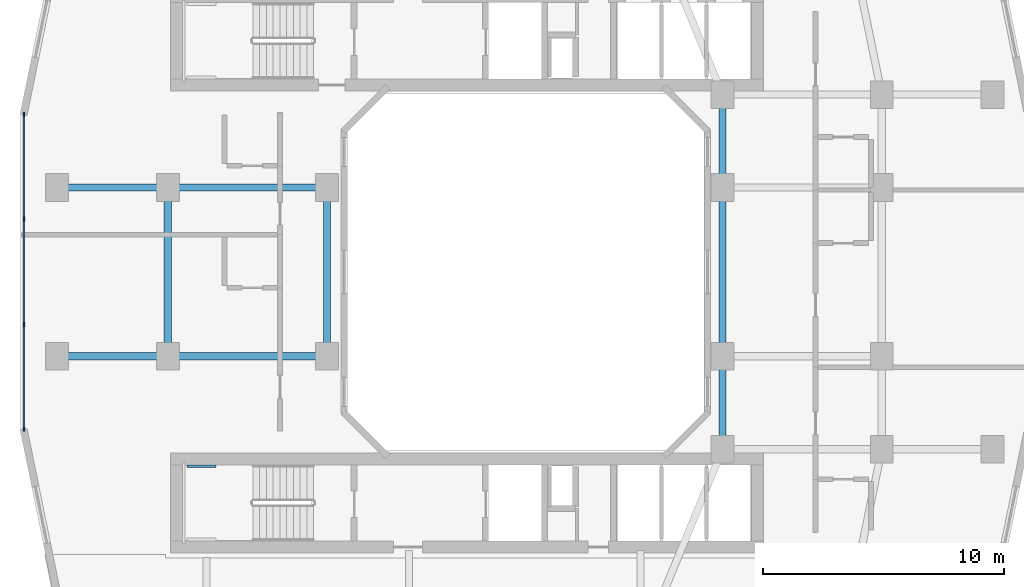
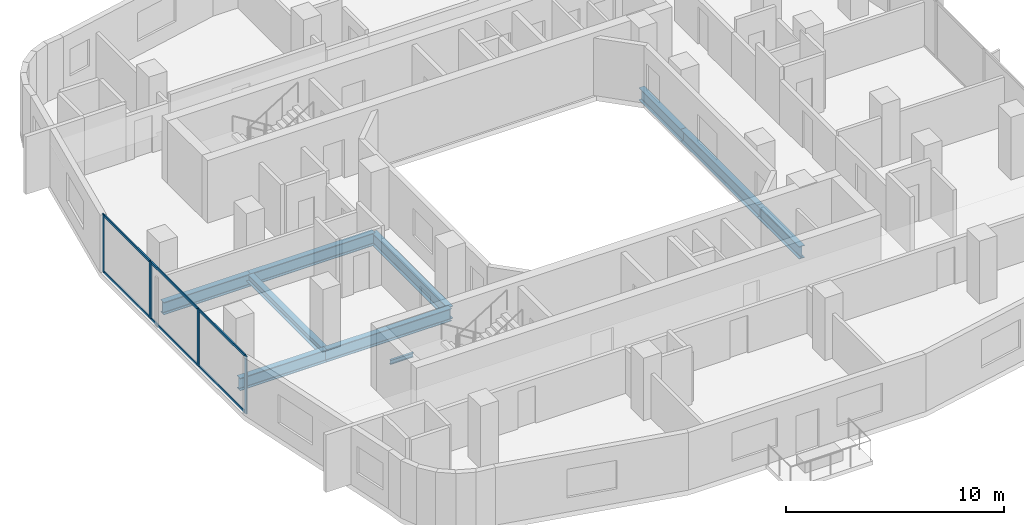
# One storey, part 2 of 22: 10 beams, 10 members, 1 element without a shape of its own.
"""IFC4 building model written with IfcOpenShell, lengths in metres."""

import ifcopenshell
import ifcopenshell.guid

model = None  # the IFC model being written
_history = None  # IfcOwnerHistory: only IFC2X3 demands one
_inside = {}  # id of a spatial element -> (the spatial element, [elements in it])
_under = {}  # id of a project, library or spatial element -> (it, [spatial elements below it])
_declared = {}  # id of a project -> (the project, [libraries it declares])
_typed = {}  # id of a type object -> (the type object, [elements of that type])
_made_of = {}  # id of a material, layer set ... -> (it, [elements and type objects made of it])


def new_model(schema):
    """Start an empty IFC model of exactly this schema.

    Asked for "IFC4X3", IfcOpenShell would pick the latest addendum, in which some entities
    have other attributes; the version numbers below select the first issue.
    IFC2X3 requires an IfcOwnerHistory on every rooted entity: one is made here for all.
    """
    global model, _history
    if schema == "IFC4X3":
        model = ifcopenshell.file(schema_version=(4, 3, 0, 0))
    else:
        model = ifcopenshell.file(schema=schema)
    _inside.clear()
    _under.clear()
    _declared.clear()
    _typed.clear()
    _made_of.clear()
    _history = None
    if model.schema == "IFC2X3":
        org = make("IfcOrganization", Name="unknown")
        user = make(
            "IfcPersonAndOrganization",
            ThePerson=make("IfcPerson", FamilyName="unknown"),
            TheOrganization=org,
        )
        app = make(
            "IfcApplication",
            ApplicationDeveloper=org,
            Version="unknown",
            ApplicationFullName="unknown",
            ApplicationIdentifier="unknown",
        )
        _history = make(
            "IfcOwnerHistory",
            OwningUser=user,
            OwningApplication=app,
            ChangeAction="ADDED",
            CreationDate=0,
        )
    return model


def make(cls, **values):
    """One entity of the class cls with the attributes given. An attribute that is None is left unset."""
    return model.create_entity(
        cls, **{name: value for name, value in values.items() if value is not None}
    )


def rooted(cls, **values):
    """An entity with a GlobalId (a new one), such as an element, a storey or a relation."""
    return make(cls, GlobalId=ifcopenshell.guid.new(), OwnerHistory=_history, **values)


def si_unit(unit_type, name, prefix=None):
    """IfcSIUnit, for example si_unit("LENGTHUNIT", "METRE", prefix="MILLI")."""
    return make("IfcSIUnit", UnitType=unit_type, Prefix=prefix, Name=name)


def derived_unit(unit_type, elements):
    """IfcDerivedUnit: a product of units, each with its exponent."""
    return make(
        "IfcDerivedUnit",
        Elements=[
            make("IfcDerivedUnitElement", Unit=unit, Exponent=power)
            for unit, power in elements
        ],
        UnitType=unit_type,
    )


def assignment(units):
    """IfcUnitAssignment: the units of a project."""
    return None if units is None else make("IfcUnitAssignment", Units=units)


def point(xyz):
    """IfcCartesianPoint."""
    return None if xyz is None else make("IfcCartesianPoint", Coordinates=xyz)


def direction(xyz):
    """IfcDirection."""
    return None if xyz is None else make("IfcDirection", DirectionRatios=xyz)


def frame(location, z_axis=None, x_axis=None):
    """IfcAxis2Placement3D, a coordinate frame: its origin and axes. An axis left out is left unset."""
    return make(
        "IfcAxis2Placement3D",
        Location=point(location),
        Axis=direction(z_axis),
        RefDirection=direction(x_axis),
    )


def frame_2d(location, x_axis=None):
    """IfcAxis2Placement2D, a coordinate frame in the plane: its origin and x axis."""
    return make(
        "IfcAxis2Placement2D", Location=point(location), RefDirection=direction(x_axis)
    )


def origin():
    """The frame at (0, 0, 0) with its axes left unset."""
    return frame((0.0, 0.0, 0.0))


def origin_2d():
    """The frame at (0, 0) in the plane with its x axis left unset."""
    return frame_2d((0.0, 0.0))


def place(relative_to, where):
    """IfcLocalPlacement: puts the frame where relative to a parent placement (None: the world)."""
    return make(
        "IfcLocalPlacement", PlacementRelTo=relative_to, RelativePlacement=where
    )


def context(
    kind, dimensions, precision=None, world=None, true_north=None, identifier=None
):
    """IfcGeometricRepresentationContext, for example the 3D "Model" context."""
    return make(
        "IfcGeometricRepresentationContext",
        ContextIdentifier=identifier,
        ContextType=kind,
        CoordinateSpaceDimension=dimensions,
        Precision=precision,
        WorldCoordinateSystem=world,
        TrueNorth=true_north,
    )


def subcontext(parent, identifier, kind, view, scale=None):
    """IfcGeometricRepresentationSubContext, for example "Body" below "Model"."""
    return make(
        "IfcGeometricRepresentationSubContext",
        ContextIdentifier=identifier,
        ContextType=kind,
        ParentContext=parent,
        TargetScale=scale,
        TargetView=view,
    )


def project(units=None, contexts=None):
    """IfcProject with its units and contexts."""
    return rooted(
        "IfcProject",
        Name="project",
        RepresentationContexts=contexts,
        UnitsInContext=assignment(units),
    )


def spatial(cls, under=None, at=None, **own):
    """A site, building, storey or space (cls), placed at a placement, below another one or the project."""
    s = rooted(cls, ObjectPlacement=at, **own)
    if under is not None:
        _under.setdefault(under.id(), (under, []))[1].append(s)
    return s


def profile(cls, at=None, kind="AREA", **sizes):
    """A parametric profile (cls). Its sizes go by their IFC names, for example OverallWidth=200.0."""
    return make(cls, ProfileType=kind, Position=at, **sizes)


def rectangle(**sizes):
    """IfcRectangleProfileDef."""
    return profile("IfcRectangleProfileDef", **sizes)


def i_section(**sizes):
    """IfcIShapeProfileDef."""
    return profile("IfcIShapeProfileDef", **sizes)


def extrude(swept, where, along, depth):
    """IfcExtrudedAreaSolid: the profile swept, set in the frame where, extruded along a direction by depth."""
    return make(
        "IfcExtrudedAreaSolid",
        SweptArea=swept,
        Position=where,
        ExtrudedDirection=direction(along),
        Depth=depth,
    )


def shape(context_of_items, identifier, shape_type, items):
    """IfcShapeRepresentation: the items that make up one representation, for example the "Body"."""
    return make(
        "IfcShapeRepresentation",
        ContextOfItems=context_of_items,
        RepresentationIdentifier=identifier,
        RepresentationType=shape_type,
        Items=items,
    )


def material(Name=None, Category=None):
    """IfcMaterial."""
    return make("IfcMaterial", Name=Name, Category=Category)


def layer(
    of_material, thickness, ventilated=None, Name=None, Category=None, Priority=None
):
    """IfcMaterialLayer: one layer of a wall or slab, of a material (None: an air gap)."""
    return make(
        "IfcMaterialLayer",
        Material=of_material,
        LayerThickness=thickness,
        IsVentilated=ventilated,
        Name=Name,
        Category=Category,
        Priority=Priority,
    )


def layer_set(layers, Name=None):
    """IfcMaterialLayerSet."""
    return make("IfcMaterialLayerSet", MaterialLayers=layers, LayerSetName=Name)


def material_profile(
    of_material, cross_section, Name=None, Category=None, Priority=None
):
    """IfcMaterialProfile: a cross section and its material."""
    return make(
        "IfcMaterialProfile",
        Name=Name,
        Material=of_material,
        Profile=cross_section,
        Priority=Priority,
        Category=Category,
    )


def profile_set(profiles, Name=None, composite=None):
    """IfcMaterialProfileSet."""
    return make(
        "IfcMaterialProfileSet",
        Name=Name,
        MaterialProfiles=profiles,
        CompositeProfile=composite,
    )


def made_of(thing, what):
    """Note that an element or type object is made of a material, layer set ...; save() writes the relation."""
    if what is not None:
        _made_of.setdefault(what.id(), (what, []))[1].append(thing)
    return thing


def type_object(cls, material=None, **own):
    """A type object (cls), such as IfcWallType, which elements share."""
    return made_of(rooted(cls, **own), material)


def element(
    cls,
    number,
    at=None,
    inside=None,
    cuts=None,
    type_object=None,
    material=None,
    context=None,
    identifier="Body",
    shape_type=None,
    held_by="IfcProductDefinitionShape",
    body=None,
    shapes=None,
    **own,
):
    """One element of the class cls, such as IfcWall. Its Tag is "e" and its number.

    at: its placement. inside: the storey or other place that contains it. cuts: it is an
    opening in that element (IfcRelVoidsElement). A single representation is given by context,
    identifier, shape_type and body (its items); several are given by shapes. held_by: the class
    of the entity that holds the representations. save() writes the other relations.
    """
    e = rooted(cls, Tag="e%d" % number, ObjectPlacement=at, **own)
    if body is not None:
        shapes = [shape(context, identifier, shape_type, body)]
    if shapes is not None:
        e.Representation = make(held_by, Representations=shapes)
    if inside is not None:
        _inside.setdefault(inside.id(), (inside, []))[1].append(e)
    if cuts is not None:
        rooted(
            "IfcRelVoidsElement", RelatingBuildingElement=cuts, RelatedOpeningElement=e
        )
    if type_object is not None:
        _typed.setdefault(type_object.id(), (type_object, []))[1].append(e)
    return made_of(e, material)


def aggregate(whole, parts):
    """IfcRelAggregates: a whole, such as a stair, and the parts it consists of."""
    return rooted("IfcRelAggregates", RelatingObject=whole, RelatedObjects=parts)


def save(model, path):
    """Write the relations noted so far, then the file.

    IfcRelAggregates (storeys below a building ...), IfcRelContainedInSpatialStructure (elements
    in a storey), IfcRelDefinesByType, IfcRelAssociatesMaterial and IfcRelDeclares: one each for
    every whole, place, type object, material and project.
    """
    for whole, parts in _under.values():
        aggregate(whole, parts)
    for where, things in _inside.values():
        rooted(
            "IfcRelContainedInSpatialStructure",
            RelatedElements=things,
            RelatingStructure=where,
        )
    for kind, things in _typed.values():
        rooted("IfcRelDefinesByType", RelatedObjects=things, RelatingType=kind)
    for what, things in _made_of.values():
        rooted("IfcRelAssociatesMaterial", RelatedObjects=things, RelatingMaterial=what)
    for by, libraries in _declared.values():
        rooted("IfcRelDeclares", RelatingContext=by, RelatedDefinitions=libraries)
    model.write(path)


model = new_model("IFC4")

# Units and contexts
model_context = context("Model", 3, precision=1e-05, world=origin(), true_north=direction((0.0, 1.0)))
body_context = subcontext(model_context, "Body", "Model", "MODEL_VIEW")
ifc_project = project(units=[si_unit("LENGTHUNIT", "METRE"), si_unit("AREAUNIT", "SQUARE_METRE"), si_unit("VOLUMEUNIT", "CUBIC_METRE"), si_unit("PLANEANGLEUNIT", "RADIAN"), si_unit("MASSUNIT", "GRAM", prefix="KILO"), derived_unit("THERMALTRANSMITTANCEUNIT", [(si_unit("POWERUNIT", "WATT"), 1), (si_unit("LENGTHUNIT", "METRE"), -2), (si_unit("THERMODYNAMICTEMPERATUREUNIT", "KELVIN"), -1)])], contexts=[model_context])

# Site, building, storey
site_placement = place(None, origin())
site = spatial("IfcSite", under=ifc_project, at=site_placement, CompositionType="ELEMENT")
building_placement = place(site_placement, origin())
building = spatial("IfcBuilding", under=site, at=building_placement, Name="Kivonza Crest Hotel", CompositionType="ELEMENT")
storey_placement = place(building_placement, frame((0.0, 0.0, 69.5)))
storey = spatial("IfcBuildingStorey", under=building, at=storey_placement, Name="L18", CompositionType="ELEMENT", Elevation=69.5)

# Beams
ifc_material_1 = material(Name="Steel S355", Category="steel")
ifc_material_profile_1 = material_profile(ifc_material_1, i_section(OverallWidth=0.300048828125, OverallDepth=0.449951171875, WebThickness=0.013916015625, FlangeThickness=0.02587890625, FilletRadius=0.027099609375, at=origin_2d()), Name="HEB 450")
ifc_profile_set_1 = profile_set([ifc_material_profile_1], Name="Steel S355")
beam_type_1 = type_object("IfcBeamType", Name="BM-HEB450", PredefinedType="SPANDREL", material=ifc_profile_set_1)
beam_1_placement = place(storey_placement, frame((6.199951171875, 28.5, -0.5048828125), z_axis=(0.0, -1.0, 0.0), x_axis=(1.0, 0.0, 0.0)))
element("IfcBeam", 1, at=beam_1_placement, inside=storey, type_object=beam_type_1, Name="Tower T1 L18 perimeter spandrel W2-W1", PredefinedType="SPANDREL", context=body_context, shape_type="SweptSolid", body=[
    extrude(i_section(OverallWidth=0.300048828125, OverallDepth=0.449951171875, WebThickness=0.013916015625, FlangeThickness=0.02587890625, FilletRadius=0.027099609375, at=origin_2d()), origin(), (0.0, 0.0, 1.0), 7.0),
])
ifc_material_profile_2 = material_profile(ifc_material_1, i_section(OverallWidth=0.300048828125, OverallDepth=0.699951171875, WebThickness=0.01708984375, FlangeThickness=0.031982421875, FilletRadius=0.027099609375, at=origin_2d()), Name="HEB 700")
ifc_profile_set_2 = profile_set([ifc_material_profile_2], Name="Steel S355")
beam_type_2 = type_object("IfcBeamType", Name="BM-HEB700", PredefinedType="BEAM", material=ifc_profile_set_2)
for number, where, z_axis, x_axis, name in (
    (2, (6.199951171875, 21.5, -0.6298828125), (1.0, 0.0, 0.0), (0.0, 1.0, 0.0), "Tower T1 L18 primary girder W1-WL1"),
    (3, (6.199951171875, 28.5, -0.6298828125), (1.0, 0.0, 0.0), (0.0, 1.0, 0.0), "Tower T1 L18 primary girder W2-WL2"),
):
    element("IfcBeam", number, at=place(storey_placement, frame(where, z_axis=z_axis, x_axis=x_axis)), inside=storey, type_object=beam_type_2, Name=name, PredefinedType="BEAM", context=body_context, shape_type="SweptSolid", body=[
        extrude(i_section(OverallWidth=0.300048828125, OverallDepth=0.699951171875, WebThickness=0.01708984375, FlangeThickness=0.031982421875, FilletRadius=0.027099609375, at=origin_2d()), origin(), (0.0, 0.0, 1.0), 6.60009765625),
    ])
for number, where, z_axis, x_axis, name in (
    (4, (12.800048828125, 21.5, -0.6298828125), (0.0, 1.0, 0.0), (-1.0, 0.0, 0.0), "Tower T1 L18 primary girder WL1-WL2"),
    (5, (29.199951171875, 21.5, -0.6298828125), (0.0, 1.0, 0.0), (-1.0, 0.0, 0.0), "Tower T1 L18 primary girder WR1-WR2"),
):
    element("IfcBeam", number, at=place(storey_placement, frame(where, z_axis=z_axis, x_axis=x_axis)), inside=storey, type_object=beam_type_2, Name=name, PredefinedType="BEAM", context=body_context, shape_type="SweptSolid", body=[
        extrude(i_section(OverallWidth=0.300048828125, OverallDepth=0.699951171875, WebThickness=0.01708984375, FlangeThickness=0.031982421875, FilletRadius=0.027099609375, at=origin_2d()), origin(), (0.0, 0.0, 1.0), 7.0),
    ])
for number, where, z_axis, x_axis, name in (
    (6, (29.199951171875, 17.64990234375, -0.6298828125), (0.0, 1.0, 0.0), (-1.0, 0.0, 0.0), "Tower T1 L18 primary girder TSE-WR1"),
    (7, (29.199951171875, 28.5, -0.6298828125), (0.0, 1.0, 0.0), (-1.0, 0.0, 0.0), "Tower T1 L18 primary girder WR2-TNE"),
):
    element("IfcBeam", number, at=place(storey_placement, frame(where, z_axis=z_axis, x_axis=x_axis)), inside=storey, type_object=beam_type_2, Name=name, PredefinedType="BEAM", context=body_context, shape_type="SweptSolid", body=[
        extrude(i_section(OverallWidth=0.300048828125, OverallDepth=0.699951171875, WebThickness=0.01708984375, FlangeThickness=0.031982421875, FilletRadius=0.027099609375, at=origin_2d()), origin(), (0.0, 0.0, 1.0), 3.85009765625),
    ])
for number, where, z_axis, x_axis, name in (
    (8, (1.60009765625, 21.5, -0.6298828125), (1.0, 0.0, 0.0), (0.0, 1.0, 0.0), "Tower T1 L18 outer bay girder ZW1"),
    (9, (1.60009765625, 28.5, -0.6298828125), (1.0, 0.0, 0.0), (0.0, 1.0, 0.0), "Tower T1 L18 outer bay girder ZW2"),
):
    element("IfcBeam", number, at=place(storey_placement, frame(where, z_axis=z_axis, x_axis=x_axis)), inside=storey, type_object=beam_type_2, Name=name, PredefinedType="BEAM", context=body_context, shape_type="SweptSolid", body=[
        extrude(i_section(OverallWidth=0.300048828125, OverallDepth=0.699951171875, WebThickness=0.01708984375, FlangeThickness=0.031982421875, FilletRadius=0.027099609375, at=origin_2d()), origin(), (0.0, 0.0, 1.0), 4.599853515625),
    ])
ifc_material_profile_3 = material_profile(ifc_material_1, i_section(OverallWidth=0.1201171875, OverallDepth=0.239990234375, WebThickness=0.006103515625, FlangeThickness=0.009765625, FilletRadius=0.014892578125, at=origin_2d()), Name="IPE 240")
ifc_profile_set_3 = profile_set([ifc_material_profile_3], Name="Steel S355")
beam_type_3 = type_object("IfcBeamType", Name="BM-LLDG-240", PredefinedType="BEAM", material=ifc_profile_set_3)
beam_2_placement = place(storey_placement, frame((6.989990234375, 16.93994140625, 1.429931640625), z_axis=(1.0, 0.0, 0.0), x_axis=(0.0, 1.0, 0.0)))
element("IfcBeam", 10, at=beam_2_placement, inside=storey, type_object=beam_type_3, Name="Stair ST-T1-S L18 North landing corbel", PredefinedType="BEAM", context=body_context, shape_type="SweptSolid", body=[
    extrude(i_section(OverallWidth=0.1201171875, OverallDepth=0.239990234375, WebThickness=0.006103515625, FlangeThickness=0.009765625, FilletRadius=0.014892578125, at=origin_2d()), origin(), (0.0, 0.0, 1.0), 1.2099609375),
])

# Curtain wall, members
ifc_material_2 = material(Name="Anodised bronze aluminium and low-E double glazing", Category="aluminium")
ifc_layer = layer(ifc_material_2, 0.179931640625)
ifc_layer_set = layer_set([ifc_layer], Name="Anodised bronze aluminium and low-E double glazing")
curtain_wall_type = type_object("IfcCurtainWallType", Name="CW-SYS-2", PredefinedType="NOTDEFINED", material=ifc_layer_set)
curtain_wall_placement = place(storey_placement, origin())
curtain_wall = element("IfcCurtainWall", 11, at=curtain_wall_placement, inside=storey, type_object=curtain_wall_type, Name="L18 unitised curtain wall CW-T1-L18-35", PredefinedType="NOTDEFINED")
ifc_material_3 = material(Name="Anodised bronze aluminium", Category="aluminium")
ifc_material_profile_4 = material_profile(ifc_material_3, rectangle(XDim=0.06494140625, YDim=0.179931640625, at=origin_2d()), Name="CW-M 65x180")
ifc_profile_set_4 = profile_set([ifc_material_profile_4], Name="Anodised bronze aluminium")
member_type_1 = type_object("IfcMemberType", Name="CW-MUL-65x180", PredefinedType="MULLION", material=ifc_profile_set_4)
member_1_placement = place(storey_placement, frame((0.239990234375, 31.527587890625, 0.0), z_axis=(0.0, 0.0, 1.0), x_axis=(1.0, 0.0, 0.0)))
member_1 = element("IfcMember", 12, at=member_1_placement, type_object=member_type_1, Name="CW-2 mullion 1", PredefinedType="MULLION", context=body_context, shape_type="SweptSolid", body=[
    extrude(rectangle(XDim=0.06494140625, YDim=0.179931640625, at=origin_2d()), origin(), (0.0, 0.0, 1.0), 3.219970703125),
])
member_2_placement = place(storey_placement, frame((0.239990234375, 27.186767578125, 0.0), z_axis=(0.0, 0.0, 1.0), x_axis=(1.0, 0.0, 0.0)))
member_2 = element("IfcMember", 13, at=member_2_placement, type_object=member_type_1, Name="CW-2 mullion 2", PredefinedType="MULLION", context=body_context, shape_type="SweptSolid", body=[
    extrude(rectangle(XDim=0.06494140625, YDim=0.179931640625, at=origin_2d()), origin(), (0.0, 0.0, 1.0), 3.219970703125),
])
member_3_placement = place(storey_placement, frame((0.239990234375, 22.813232421875, 0.0), z_axis=(0.0, 0.0, 1.0), x_axis=(1.0, 0.0, 0.0)))
member_3 = element("IfcMember", 14, at=member_3_placement, type_object=member_type_1, Name="CW-2 mullion 3", PredefinedType="MULLION", context=body_context, shape_type="SweptSolid", body=[
    extrude(rectangle(XDim=0.06494140625, YDim=0.179931640625, at=origin_2d()), origin(), (0.0, 0.0, 1.0), 3.219970703125),
])
member_4_placement = place(storey_placement, frame((0.239990234375, 18.472412109375, 0.0), z_axis=(0.0, 0.0, 1.0), x_axis=(1.0, 0.0, 0.0)))
member_4 = element("IfcMember", 15, at=member_4_placement, type_object=member_type_1, Name="CW-2 mullion 4", PredefinedType="MULLION", context=body_context, shape_type="SweptSolid", body=[
    extrude(rectangle(XDim=0.06494140625, YDim=0.179931640625, at=origin_2d()), origin(), (0.0, 0.0, 1.0), 3.219970703125),
])
ifc_material_profile_5 = material_profile(ifc_material_3, rectangle(XDim=0.06494140625, YDim=0.139892578125, at=origin_2d()), Name="CW-T 65x140")
ifc_profile_set_5 = profile_set([ifc_material_profile_5], Name="Anodised bronze aluminium")
member_type_2 = type_object("IfcMemberType", Name="CW-TRN-65x140", PredefinedType="USERDEFINED", material=ifc_profile_set_5)
member_5_placement = place(storey_placement, frame((0.239990234375, 31.4951171875, 0.032470703125), z_axis=(0.0, -1.0, 0.0), x_axis=(1.0, 0.0, 0.0)))
member_5 = element("IfcMember", 16, at=member_5_placement, type_object=member_type_2, Name="CW-2 transom 1.1", ObjectType="TRANSOM", PredefinedType="USERDEFINED", context=body_context, shape_type="SweptSolid", body=[
    extrude(rectangle(XDim=0.06494140625, YDim=0.139892578125, at=origin_2d()), origin(), (0.0, 0.0, 1.0), 4.27587890625),
])
member_6_placement = place(storey_placement, frame((0.239990234375, 31.4951171875, 3.1875), z_axis=(0.0, -1.0, 0.0), x_axis=(1.0, 0.0, 0.0)))
member_6 = element("IfcMember", 17, at=member_6_placement, type_object=member_type_2, Name="CW-2 transom 1.2", ObjectType="TRANSOM", PredefinedType="USERDEFINED", context=body_context, shape_type="SweptSolid", body=[
    extrude(rectangle(XDim=0.06494140625, YDim=0.139892578125, at=origin_2d()), origin(), (0.0, 0.0, 1.0), 4.27587890625),
])
member_7_placement = place(storey_placement, frame((0.239990234375, 27.154052734375, 0.032470703125), z_axis=(0.0, -1.0, 0.0), x_axis=(1.0, 0.0, 0.0)))
member_7 = element("IfcMember", 18, at=member_7_placement, type_object=member_type_2, Name="CW-2 transom 2.1", ObjectType="TRANSOM", PredefinedType="USERDEFINED", context=body_context, shape_type="SweptSolid", body=[
    extrude(rectangle(XDim=0.06494140625, YDim=0.139892578125, at=origin_2d()), origin(), (0.0, 0.0, 1.0), 4.30810546875),
])
member_8_placement = place(storey_placement, frame((0.239990234375, 27.154052734375, 3.1875), z_axis=(0.0, -1.0, 0.0), x_axis=(1.0, 0.0, 0.0)))
member_8 = element("IfcMember", 19, at=member_8_placement, type_object=member_type_2, Name="CW-2 transom 2.2", ObjectType="TRANSOM", PredefinedType="USERDEFINED", context=body_context, shape_type="SweptSolid", body=[
    extrude(rectangle(XDim=0.06494140625, YDim=0.139892578125, at=origin_2d()), origin(), (0.0, 0.0, 1.0), 4.30810546875),
])
member_9_placement = place(storey_placement, frame((0.239990234375, 22.78076171875, 0.032470703125), z_axis=(0.0, -1.0, 0.0), x_axis=(1.0, 0.0, 0.0)))
member_9 = element("IfcMember", 20, at=member_9_placement, type_object=member_type_2, Name="CW-2 transom 3.1", ObjectType="TRANSOM", PredefinedType="USERDEFINED", context=body_context, shape_type="SweptSolid", body=[
    extrude(rectangle(XDim=0.06494140625, YDim=0.139892578125, at=origin_2d()), origin(), (0.0, 0.0, 1.0), 4.27587890625),
])
member_10_placement = place(storey_placement, frame((0.239990234375, 22.78076171875, 3.1875), z_axis=(0.0, -1.0, 0.0), x_axis=(1.0, 0.0, 0.0)))
member_10 = element("IfcMember", 21, at=member_10_placement, type_object=member_type_2, Name="CW-2 transom 3.2", ObjectType="TRANSOM", PredefinedType="USERDEFINED", context=body_context, shape_type="SweptSolid", body=[
    extrude(rectangle(XDim=0.06494140625, YDim=0.139892578125, at=origin_2d()), origin(), (0.0, 0.0, 1.0), 4.27587890625),
])
aggregate(curtain_wall, [member_1, member_2, member_3, member_4, member_5, member_6, member_7, member_8, member_9, member_10])

save(model, "model.ifc")
